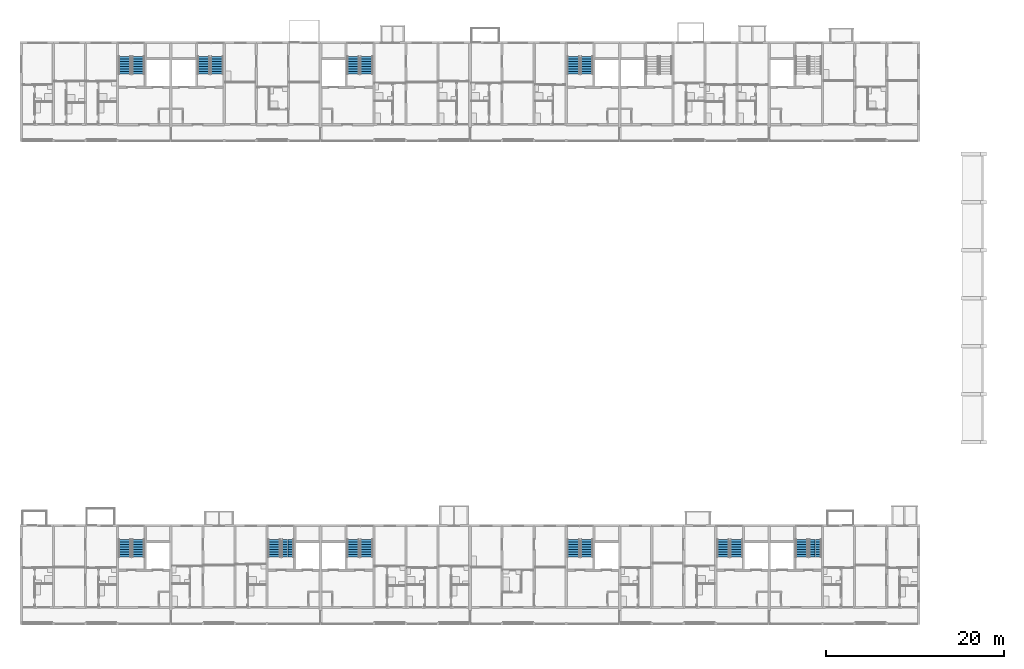
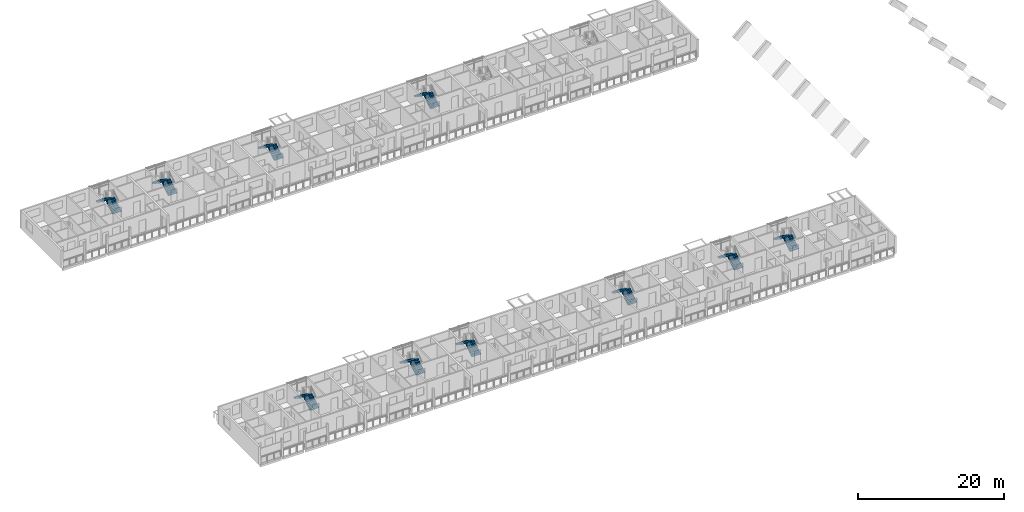
# One storey, part 61 of 98: 20 stair flights, 10 elements without a shape of their own.
"""IFC4 building model written with IfcOpenShell, lengths in metres."""

from ifc_helpers import new_model, si_unit, direction, frame, origin, place, context, subcontext, project, spatial, polyline, outline, extrude, material, type_object, element, aggregate, save


model = new_model("IFC4")

# Units and contexts
model_context = context("Model", 3, precision=1e-05, world=origin(), true_north=direction((0.0, 1.0)))
body_context = subcontext(model_context, "Body", "Model", "MODEL_VIEW")
ifc_project = project(units=[si_unit("LENGTHUNIT", "METRE"), si_unit("AREAUNIT", "SQUARE_METRE"), si_unit("VOLUMEUNIT", "CUBIC_METRE"), si_unit("PLANEANGLEUNIT", "RADIAN"), si_unit("MASSUNIT", "GRAM", prefix="KILO")], contexts=[model_context])

# Site, building, storey
site_placement = place(None, origin())
site = spatial("IfcSite", under=ifc_project, at=site_placement, CompositionType="ELEMENT")
building_placement = place(site_placement, origin())
building = spatial("IfcBuilding", under=site, at=building_placement, Name="Ridgestep Commons", CompositionType="ELEMENT")
storey_placement = place(building_placement, frame((0.0, 0.0, 12.0)))
storey = spatial("IfcBuildingStorey", under=building, at=storey_placement, Name="L04", CompositionType="ELEMENT", Elevation=12.0)

# Stair, stair flights
ifc_material_1 = material(Name="Precast concrete C40/50", Category="concrete")
stair_type = type_object("IfcStairType", Name="Escape stair 1400", PredefinedType="HALF_TURN_STAIR", material=ifc_material_1)
stair_1_placement = place(storey_placement, origin())
stair_1 = element("IfcStair", 1, at=stair_1_placement, inside=storey, type_object=stair_type, Name="L04 Escape stair A1C", PredefinedType="HALF_TURN_STAIR")
ifc_material_2 = material(Name="Precast concrete C40/50", Category="concrete")
stair_flight_type = type_object("IfcStairFlightType", Name="Stair flight 1400", PredefinedType="STRAIGHT", material=ifc_material_2)
stair_flight_1_placement = place(storey_placement, frame((25.125, 19.35009765625, 0.0), z_axis=(0.0, 0.0, 1.0), x_axis=(0.0, 1.0, 0.0)))
stair_flight_1 = element("IfcStairFlight", 2, at=stair_flight_1_placement, type_object=stair_flight_type, Name="A1C flight 1", NumberOfRisers=8, NumberOfTreads=7, PredefinedType="STRAIGHT", RiserHeight=0.1875, TreadLength=0.28, context=body_context, shape_type="SweptSolid", body=[
    extrude(outline(polyline([(0.0, 0.0), (0.0, 0.1875), (0.280029296875, 0.1875), (0.280029296875, 0.375), (0.56005859375, 0.375), (0.56005859375, 0.5625), (0.840087890625, 0.5625), (0.840087890625, 0.75), (1.1201171875, 0.75), (1.1201171875, 0.9375), (1.39990234375, 0.9375), (1.39990234375, 1.125), (1.679931640625, 1.125), (1.679931640625, 1.3125), (1.9599609375, 1.3125), (1.9599609375, 1.5), (1.9599609375, 1.132080078125), (0.26953125, 0.0), (0.0, 0.0)])), frame((0.0, 0.699951171875, 0.0), z_axis=(0.0, -1.0, 0.0), x_axis=(1.0, 0.0, 0.0)), (0.0, 0.0, 1.0), 0.695068359375),
    extrude(outline(polyline([(0.0, 0.0), (0.0, 0.1875), (0.280029296875, 0.1875), (0.280029296875, 0.375), (0.56005859375, 0.375), (0.56005859375, 0.5625), (0.840087890625, 0.5625), (0.840087890625, 0.75), (1.1201171875, 0.75), (1.1201171875, 0.9375), (1.39990234375, 0.9375), (1.39990234375, 1.125), (1.679931640625, 1.125), (1.679931640625, 1.3125), (1.9599609375, 1.3125), (1.9599609375, 1.5), (1.9599609375, 1.132080078125), (0.26953125, 0.0), (0.0, 0.0)])), frame((0.0, -0.0048828125, 0.0), z_axis=(0.0, -1.0, 0.0), x_axis=(1.0, 0.0, 0.0)), (0.0, 0.0, 1.0), 0.695068359375),
])
stair_flight_2_placement = place(storey_placement, frame((23.625, 21.31005859375, 1.5), z_axis=(0.0, 0.0, 1.0), x_axis=(0.0, -1.0, 0.0)))
stair_flight_2 = element("IfcStairFlight", 3, at=stair_flight_2_placement, type_object=stair_flight_type, Name="A1C flight 2", NumberOfRisers=8, NumberOfTreads=7, PredefinedType="STRAIGHT", RiserHeight=0.1875, TreadLength=0.28, context=body_context, shape_type="SweptSolid", body=[
    extrude(outline(polyline([(0.0, 0.0), (0.0, 0.1875), (0.280029296875, 0.1875), (0.280029296875, 0.375), (0.56005859375, 0.375), (0.56005859375, 0.5625), (0.840087890625, 0.5625), (0.840087890625, 0.75), (1.1201171875, 0.75), (1.1201171875, 0.9375), (1.39990234375, 0.9375), (1.39990234375, 1.125), (1.679931640625, 1.125), (1.679931640625, 1.3125), (1.9599609375, 1.3125), (1.9599609375, 1.5), (1.9599609375, 1.132080078125), (0.26953125, 0.0), (0.0, 0.0)])), frame((0.0, 0.699951171875, 0.0), z_axis=(0.0, -1.0, 0.0), x_axis=(1.0, 0.0, 0.0)), (0.0, 0.0, 1.0), 0.695068359375),
    extrude(outline(polyline([(0.0, 0.0), (0.0, 0.1875), (0.280029296875, 0.1875), (0.280029296875, 0.375), (0.56005859375, 0.375), (0.56005859375, 0.5625), (0.840087890625, 0.5625), (0.840087890625, 0.75), (1.1201171875, 0.75), (1.1201171875, 0.9375), (1.39990234375, 0.9375), (1.39990234375, 1.125), (1.679931640625, 1.125), (1.679931640625, 1.3125), (1.9599609375, 1.3125), (1.9599609375, 1.5), (1.9599609375, 1.132080078125), (0.26953125, 0.0), (0.0, 0.0)])), frame((0.0, -0.0048828125, 0.0), z_axis=(0.0, -1.0, 0.0), x_axis=(1.0, 0.0, 0.0)), (0.0, 0.0, 1.0), 0.695068359375),
])
aggregate(stair_1, [stair_flight_1, stair_flight_2])

stair_2_placement = place(storey_placement, origin())
stair_2 = element("IfcStair", 4, at=stair_2_placement, inside=storey, type_object=stair_type, Name="L04 Escape stair A2C", PredefinedType="HALF_TURN_STAIR")
stair_flight_3_placement = place(storey_placement, frame((41.925048828125, 19.35009765625, 0.0), z_axis=(0.0, 0.0, 1.0), x_axis=(0.0, 1.0, 0.0)))
stair_flight_3 = element("IfcStairFlight", 5, at=stair_flight_3_placement, type_object=stair_flight_type, Name="A2C flight 1", NumberOfRisers=8, NumberOfTreads=7, PredefinedType="STRAIGHT", RiserHeight=0.1875, TreadLength=0.28, context=body_context, shape_type="SweptSolid", body=[
    extrude(outline(polyline([(0.0, 0.0), (0.0, 0.1875), (0.280029296875, 0.1875), (0.280029296875, 0.375), (0.56005859375, 0.375), (0.56005859375, 0.5625), (0.840087890625, 0.5625), (0.840087890625, 0.75), (1.1201171875, 0.75), (1.1201171875, 0.9375), (1.39990234375, 0.9375), (1.39990234375, 1.125), (1.679931640625, 1.125), (1.679931640625, 1.3125), (1.9599609375, 1.3125), (1.9599609375, 1.5), (1.9599609375, 1.132080078125), (0.26953125, 0.0), (0.0, 0.0)])), frame((0.0, 0.699951171875, 0.0), z_axis=(0.0, -1.0, 0.0), x_axis=(1.0, 0.0, 0.0)), (0.0, 0.0, 1.0), 0.695068359375),
    extrude(outline(polyline([(0.0, 0.0), (0.0, 0.1875), (0.280029296875, 0.1875), (0.280029296875, 0.375), (0.56005859375, 0.375), (0.56005859375, 0.5625), (0.840087890625, 0.5625), (0.840087890625, 0.75), (1.1201171875, 0.75), (1.1201171875, 0.9375), (1.39990234375, 0.9375), (1.39990234375, 1.125), (1.679931640625, 1.125), (1.679931640625, 1.3125), (1.9599609375, 1.3125), (1.9599609375, 1.5), (1.9599609375, 1.132080078125), (0.26953125, 0.0), (0.0, 0.0)])), frame((0.0, -0.0048828125, 0.0), z_axis=(0.0, -1.0, 0.0), x_axis=(1.0, 0.0, 0.0)), (0.0, 0.0, 1.0), 0.695068359375),
])
stair_flight_4_placement = place(storey_placement, frame((40.425048828125, 21.31005859375, 1.5), z_axis=(0.0, 0.0, 1.0), x_axis=(0.0, -1.0, 0.0)))
stair_flight_4 = element("IfcStairFlight", 6, at=stair_flight_4_placement, type_object=stair_flight_type, Name="A2C flight 2", NumberOfRisers=8, NumberOfTreads=7, PredefinedType="STRAIGHT", RiserHeight=0.1875, TreadLength=0.28, context=body_context, shape_type="SweptSolid", body=[
    extrude(outline(polyline([(0.0, 0.0), (0.0, 0.1875), (0.280029296875, 0.1875), (0.280029296875, 0.375), (0.56005859375, 0.375), (0.56005859375, 0.5625), (0.840087890625, 0.5625), (0.840087890625, 0.75), (1.1201171875, 0.75), (1.1201171875, 0.9375), (1.39990234375, 0.9375), (1.39990234375, 1.125), (1.679931640625, 1.125), (1.679931640625, 1.3125), (1.9599609375, 1.3125), (1.9599609375, 1.5), (1.9599609375, 1.132080078125), (0.26953125, 0.0), (0.0, 0.0)])), frame((0.0, 0.699951171875, 0.0), z_axis=(0.0, -1.0, 0.0), x_axis=(1.0, 0.0, 0.0)), (0.0, 0.0, 1.0), 0.695068359375),
    extrude(outline(polyline([(0.0, 0.0), (0.0, 0.1875), (0.280029296875, 0.1875), (0.280029296875, 0.375), (0.56005859375, 0.375), (0.56005859375, 0.5625), (0.840087890625, 0.5625), (0.840087890625, 0.75), (1.1201171875, 0.75), (1.1201171875, 0.9375), (1.39990234375, 0.9375), (1.39990234375, 1.125), (1.679931640625, 1.125), (1.679931640625, 1.3125), (1.9599609375, 1.3125), (1.9599609375, 1.5), (1.9599609375, 1.132080078125), (0.26953125, 0.0), (0.0, 0.0)])), frame((0.0, -0.0048828125, 0.0), z_axis=(0.0, -1.0, 0.0), x_axis=(1.0, 0.0, 0.0)), (0.0, 0.0, 1.0), 0.695068359375),
])
aggregate(stair_2, [stair_flight_3, stair_flight_4])

stair_3_placement = place(storey_placement, origin())
stair_3 = element("IfcStair", 7, at=stair_3_placement, inside=storey, type_object=stair_type, Name="L04 Escape stair A3C", PredefinedType="HALF_TURN_STAIR")
stair_flight_5_placement = place(storey_placement, frame((50.77490234375, 19.35009765625, 0.0), z_axis=(0.0, 0.0, 1.0), x_axis=(0.0, 1.0, 0.0)))
stair_flight_5 = element("IfcStairFlight", 8, at=stair_flight_5_placement, type_object=stair_flight_type, Name="A3C flight 1", NumberOfRisers=8, NumberOfTreads=7, PredefinedType="STRAIGHT", RiserHeight=0.1875, TreadLength=0.28, context=body_context, shape_type="SweptSolid", body=[
    extrude(outline(polyline([(0.0, 0.0), (0.0, 0.1875), (0.280029296875, 0.1875), (0.280029296875, 0.375), (0.56005859375, 0.375), (0.56005859375, 0.5625), (0.840087890625, 0.5625), (0.840087890625, 0.75), (1.1201171875, 0.75), (1.1201171875, 0.9375), (1.39990234375, 0.9375), (1.39990234375, 1.125), (1.679931640625, 1.125), (1.679931640625, 1.3125), (1.9599609375, 1.3125), (1.9599609375, 1.5), (1.9599609375, 1.132080078125), (0.26953125, 0.0), (0.0, 0.0)])), frame((0.0, 0.699951171875, 0.0), z_axis=(0.0, -1.0, 0.0), x_axis=(1.0, 0.0, 0.0)), (0.0, 0.0, 1.0), 0.695068359375),
    extrude(outline(polyline([(0.0, 0.0), (0.0, 0.1875), (0.280029296875, 0.1875), (0.280029296875, 0.375), (0.56005859375, 0.375), (0.56005859375, 0.5625), (0.840087890625, 0.5625), (0.840087890625, 0.75), (1.1201171875, 0.75), (1.1201171875, 0.9375), (1.39990234375, 0.9375), (1.39990234375, 1.125), (1.679931640625, 1.125), (1.679931640625, 1.3125), (1.9599609375, 1.3125), (1.9599609375, 1.5), (1.9599609375, 1.132080078125), (0.26953125, 0.0), (0.0, 0.0)])), frame((0.0, -0.0048828125, 0.0), z_axis=(0.0, -1.0, 0.0), x_axis=(1.0, 0.0, 0.0)), (0.0, 0.0, 1.0), 0.695068359375),
])
stair_flight_6_placement = place(storey_placement, frame((49.27490234375, 21.31005859375, 1.5), z_axis=(0.0, 0.0, 1.0), x_axis=(0.0, -1.0, 0.0)))
stair_flight_6 = element("IfcStairFlight", 9, at=stair_flight_6_placement, type_object=stair_flight_type, Name="A3C flight 2", NumberOfRisers=8, NumberOfTreads=7, PredefinedType="STRAIGHT", RiserHeight=0.1875, TreadLength=0.28, context=body_context, shape_type="SweptSolid", body=[
    extrude(outline(polyline([(0.0, 0.0), (0.0, 0.1875), (0.280029296875, 0.1875), (0.280029296875, 0.375), (0.56005859375, 0.375), (0.56005859375, 0.5625), (0.840087890625, 0.5625), (0.840087890625, 0.75), (1.1201171875, 0.75), (1.1201171875, 0.9375), (1.39990234375, 0.9375), (1.39990234375, 1.125), (1.679931640625, 1.125), (1.679931640625, 1.3125), (1.9599609375, 1.3125), (1.9599609375, 1.5), (1.9599609375, 1.132080078125), (0.26953125, 0.0), (0.0, 0.0)])), frame((0.0, 0.699951171875, 0.0), z_axis=(0.0, -1.0, 0.0), x_axis=(1.0, 0.0, 0.0)), (0.0, 0.0, 1.0), 0.695068359375),
    extrude(outline(polyline([(0.0, 0.0), (0.0, 0.1875), (0.280029296875, 0.1875), (0.280029296875, 0.375), (0.56005859375, 0.375), (0.56005859375, 0.5625), (0.840087890625, 0.5625), (0.840087890625, 0.75), (1.1201171875, 0.75), (1.1201171875, 0.9375), (1.39990234375, 0.9375), (1.39990234375, 1.125), (1.679931640625, 1.125), (1.679931640625, 1.3125), (1.9599609375, 1.3125), (1.9599609375, 1.5), (1.9599609375, 1.132080078125), (0.26953125, 0.0), (0.0, 0.0)])), frame((0.0, -0.0048828125, 0.0), z_axis=(0.0, -1.0, 0.0), x_axis=(1.0, 0.0, 0.0)), (0.0, 0.0, 1.0), 0.695068359375),
])
aggregate(stair_3, [stair_flight_5, stair_flight_6])

stair_4_placement = place(storey_placement, origin())
stair_4 = element("IfcStair", 10, at=stair_4_placement, inside=storey, type_object=stair_type, Name="L04 Escape stair A4C", PredefinedType="HALF_TURN_STAIR")
stair_flight_7_placement = place(storey_placement, frame((75.52490234375, 19.35009765625, 0.0), z_axis=(0.0, 0.0, 1.0), x_axis=(0.0, 1.0, 0.0)))
stair_flight_7 = element("IfcStairFlight", 11, at=stair_flight_7_placement, type_object=stair_flight_type, Name="A4C flight 1", NumberOfRisers=8, NumberOfTreads=7, PredefinedType="STRAIGHT", RiserHeight=0.1875, TreadLength=0.28, context=body_context, shape_type="SweptSolid", body=[
    extrude(outline(polyline([(0.0, 0.0), (0.0, 0.1875), (0.280029296875, 0.1875), (0.280029296875, 0.375), (0.56005859375, 0.375), (0.56005859375, 0.5625), (0.840087890625, 0.5625), (0.840087890625, 0.75), (1.1201171875, 0.75), (1.1201171875, 0.9375), (1.39990234375, 0.9375), (1.39990234375, 1.125), (1.679931640625, 1.125), (1.679931640625, 1.3125), (1.9599609375, 1.3125), (1.9599609375, 1.5), (1.9599609375, 1.132080078125), (0.26953125, 0.0), (0.0, 0.0)])), frame((0.0, 0.699951171875, 0.0), z_axis=(0.0, -1.0, 0.0), x_axis=(1.0, 0.0, 0.0)), (0.0, 0.0, 1.0), 0.695068359375),
    extrude(outline(polyline([(0.0, 0.0), (0.0, 0.1875), (0.280029296875, 0.1875), (0.280029296875, 0.375), (0.56005859375, 0.375), (0.56005859375, 0.5625), (0.840087890625, 0.5625), (0.840087890625, 0.75), (1.1201171875, 0.75), (1.1201171875, 0.9375), (1.39990234375, 0.9375), (1.39990234375, 1.125), (1.679931640625, 1.125), (1.679931640625, 1.3125), (1.9599609375, 1.3125), (1.9599609375, 1.5), (1.9599609375, 1.132080078125), (0.26953125, 0.0), (0.0, 0.0)])), frame((0.0, -0.0048828125, 0.0), z_axis=(0.0, -1.0, 0.0), x_axis=(1.0, 0.0, 0.0)), (0.0, 0.0, 1.0), 0.695068359375),
])
stair_flight_8_placement = place(storey_placement, frame((74.02490234375, 21.31005859375, 1.5), z_axis=(0.0, 0.0, 1.0), x_axis=(0.0, -1.0, 0.0)))
stair_flight_8 = element("IfcStairFlight", 12, at=stair_flight_8_placement, type_object=stair_flight_type, Name="A4C flight 2", NumberOfRisers=8, NumberOfTreads=7, PredefinedType="STRAIGHT", RiserHeight=0.1875, TreadLength=0.28, context=body_context, shape_type="SweptSolid", body=[
    extrude(outline(polyline([(0.0, 0.0), (0.0, 0.1875), (0.280029296875, 0.1875), (0.280029296875, 0.375), (0.56005859375, 0.375), (0.56005859375, 0.5625), (0.840087890625, 0.5625), (0.840087890625, 0.75), (1.1201171875, 0.75), (1.1201171875, 0.9375), (1.39990234375, 0.9375), (1.39990234375, 1.125), (1.679931640625, 1.125), (1.679931640625, 1.3125), (1.9599609375, 1.3125), (1.9599609375, 1.5), (1.9599609375, 1.132080078125), (0.26953125, 0.0), (0.0, 0.0)])), frame((0.0, 0.699951171875, 0.0), z_axis=(0.0, -1.0, 0.0), x_axis=(1.0, 0.0, 0.0)), (0.0, 0.0, 1.0), 0.695068359375),
    extrude(outline(polyline([(0.0, 0.0), (0.0, 0.1875), (0.280029296875, 0.1875), (0.280029296875, 0.375), (0.56005859375, 0.375), (0.56005859375, 0.5625), (0.840087890625, 0.5625), (0.840087890625, 0.75), (1.1201171875, 0.75), (1.1201171875, 0.9375), (1.39990234375, 0.9375), (1.39990234375, 1.125), (1.679931640625, 1.125), (1.679931640625, 1.3125), (1.9599609375, 1.3125), (1.9599609375, 1.5), (1.9599609375, 1.132080078125), (0.26953125, 0.0), (0.0, 0.0)])), frame((0.0, -0.0048828125, 0.0), z_axis=(0.0, -1.0, 0.0), x_axis=(1.0, 0.0, 0.0)), (0.0, 0.0, 1.0), 0.695068359375),
])
aggregate(stair_4, [stair_flight_7, stair_flight_8])

stair_5_placement = place(storey_placement, origin())
stair_5 = element("IfcStair", 13, at=stair_5_placement, inside=storey, type_object=stair_type, Name="L04 Escape stair A5C", PredefinedType="HALF_TURN_STAIR")
stair_flight_9_placement = place(storey_placement, frame((92.324951171875, 19.35009765625, 0.0), z_axis=(0.0, 0.0, 1.0), x_axis=(0.0, 1.0, 0.0)))
stair_flight_9 = element("IfcStairFlight", 14, at=stair_flight_9_placement, type_object=stair_flight_type, Name="A5C flight 1", NumberOfRisers=8, NumberOfTreads=7, PredefinedType="STRAIGHT", RiserHeight=0.1875, TreadLength=0.28, context=body_context, shape_type="SweptSolid", body=[
    extrude(outline(polyline([(0.0, 0.0), (0.0, 0.1875), (0.280029296875, 0.1875), (0.280029296875, 0.375), (0.56005859375, 0.375), (0.56005859375, 0.5625), (0.840087890625, 0.5625), (0.840087890625, 0.75), (1.1201171875, 0.75), (1.1201171875, 0.9375), (1.39990234375, 0.9375), (1.39990234375, 1.125), (1.679931640625, 1.125), (1.679931640625, 1.3125), (1.9599609375, 1.3125), (1.9599609375, 1.5), (1.9599609375, 1.132080078125), (0.26953125, 0.0), (0.0, 0.0)])), frame((0.0, 0.699951171875, 0.0), z_axis=(0.0, -1.0, 0.0), x_axis=(1.0, 0.0, 0.0)), (0.0, 0.0, 1.0), 0.695068359375),
    extrude(outline(polyline([(0.0, 0.0), (0.0, 0.1875), (0.280029296875, 0.1875), (0.280029296875, 0.375), (0.56005859375, 0.375), (0.56005859375, 0.5625), (0.840087890625, 0.5625), (0.840087890625, 0.75), (1.1201171875, 0.75), (1.1201171875, 0.9375), (1.39990234375, 0.9375), (1.39990234375, 1.125), (1.679931640625, 1.125), (1.679931640625, 1.3125), (1.9599609375, 1.3125), (1.9599609375, 1.5), (1.9599609375, 1.132080078125), (0.26953125, 0.0), (0.0, 0.0)])), frame((0.0, -0.0048828125, 0.0), z_axis=(0.0, -1.0, 0.0), x_axis=(1.0, 0.0, 0.0)), (0.0, 0.0, 1.0), 0.695068359375),
])
stair_flight_10_placement = place(storey_placement, frame((90.824951171875, 21.31005859375, 1.5), z_axis=(0.0, 0.0, 1.0), x_axis=(0.0, -1.0, 0.0)))
stair_flight_10 = element("IfcStairFlight", 15, at=stair_flight_10_placement, type_object=stair_flight_type, Name="A5C flight 2", NumberOfRisers=8, NumberOfTreads=7, PredefinedType="STRAIGHT", RiserHeight=0.1875, TreadLength=0.28, context=body_context, shape_type="SweptSolid", body=[
    extrude(outline(polyline([(0.0, 0.0), (0.0, 0.1875), (0.280029296875, 0.1875), (0.280029296875, 0.375), (0.56005859375, 0.375), (0.56005859375, 0.5625), (0.840087890625, 0.5625), (0.840087890625, 0.75), (1.1201171875, 0.75), (1.1201171875, 0.9375), (1.39990234375, 0.9375), (1.39990234375, 1.125), (1.679931640625, 1.125), (1.679931640625, 1.3125), (1.9599609375, 1.3125), (1.9599609375, 1.5), (1.9599609375, 1.132080078125), (0.26953125, 0.0), (0.0, 0.0)])), frame((0.0, 0.699951171875, 0.0), z_axis=(0.0, -1.0, 0.0), x_axis=(1.0, 0.0, 0.0)), (0.0, 0.0, 1.0), 0.695068359375),
    extrude(outline(polyline([(0.0, 0.0), (0.0, 0.1875), (0.280029296875, 0.1875), (0.280029296875, 0.375), (0.56005859375, 0.375), (0.56005859375, 0.5625), (0.840087890625, 0.5625), (0.840087890625, 0.75), (1.1201171875, 0.75), (1.1201171875, 0.9375), (1.39990234375, 0.9375), (1.39990234375, 1.125), (1.679931640625, 1.125), (1.679931640625, 1.3125), (1.9599609375, 1.3125), (1.9599609375, 1.5), (1.9599609375, 1.132080078125), (0.26953125, 0.0), (0.0, 0.0)])), frame((0.0, -0.0048828125, 0.0), z_axis=(0.0, -1.0, 0.0), x_axis=(1.0, 0.0, 0.0)), (0.0, 0.0, 1.0), 0.695068359375),
])
aggregate(stair_5, [stair_flight_9, stair_flight_10])

stair_6_placement = place(storey_placement, origin())
stair_6 = element("IfcStair", 16, at=stair_6_placement, inside=storey, type_object=stair_type, Name="L04 Escape stair A6C", PredefinedType="HALF_TURN_STAIR")
stair_flight_11_placement = place(storey_placement, frame((101.175048828125, 19.35009765625, 0.0), z_axis=(0.0, 0.0, 1.0), x_axis=(0.0, 1.0, 0.0)))
stair_flight_11 = element("IfcStairFlight", 17, at=stair_flight_11_placement, type_object=stair_flight_type, Name="A6C flight 1", NumberOfRisers=8, NumberOfTreads=7, PredefinedType="STRAIGHT", RiserHeight=0.1875, TreadLength=0.28, context=body_context, shape_type="SweptSolid", body=[
    extrude(outline(polyline([(0.0, 0.0), (0.0, 0.1875), (0.280029296875, 0.1875), (0.280029296875, 0.375), (0.56005859375, 0.375), (0.56005859375, 0.5625), (0.840087890625, 0.5625), (0.840087890625, 0.75), (1.1201171875, 0.75), (1.1201171875, 0.9375), (1.39990234375, 0.9375), (1.39990234375, 1.125), (1.679931640625, 1.125), (1.679931640625, 1.3125), (1.9599609375, 1.3125), (1.9599609375, 1.5), (1.9599609375, 1.132080078125), (0.26953125, 0.0), (0.0, 0.0)])), frame((0.0, 0.699951171875, 0.0), z_axis=(0.0, -1.0, 0.0), x_axis=(1.0, 0.0, 0.0)), (0.0, 0.0, 1.0), 0.695068359375),
    extrude(outline(polyline([(0.0, 0.0), (0.0, 0.1875), (0.280029296875, 0.1875), (0.280029296875, 0.375), (0.56005859375, 0.375), (0.56005859375, 0.5625), (0.840087890625, 0.5625), (0.840087890625, 0.75), (1.1201171875, 0.75), (1.1201171875, 0.9375), (1.39990234375, 0.9375), (1.39990234375, 1.125), (1.679931640625, 1.125), (1.679931640625, 1.3125), (1.9599609375, 1.3125), (1.9599609375, 1.5), (1.9599609375, 1.132080078125), (0.26953125, 0.0), (0.0, 0.0)])), frame((0.0, -0.0048828125, 0.0), z_axis=(0.0, -1.0, 0.0), x_axis=(1.0, 0.0, 0.0)), (0.0, 0.0, 1.0), 0.695068359375),
])
stair_flight_12_placement = place(storey_placement, frame((99.675048828125, 21.31005859375, 1.5), z_axis=(0.0, 0.0, 1.0), x_axis=(0.0, -1.0, 0.0)))
stair_flight_12 = element("IfcStairFlight", 18, at=stair_flight_12_placement, type_object=stair_flight_type, Name="A6C flight 2", NumberOfRisers=8, NumberOfTreads=7, PredefinedType="STRAIGHT", RiserHeight=0.1875, TreadLength=0.28, context=body_context, shape_type="SweptSolid", body=[
    extrude(outline(polyline([(0.0, 0.0), (0.0, 0.1875), (0.280029296875, 0.1875), (0.280029296875, 0.375), (0.56005859375, 0.375), (0.56005859375, 0.5625), (0.840087890625, 0.5625), (0.840087890625, 0.75), (1.1201171875, 0.75), (1.1201171875, 0.9375), (1.39990234375, 0.9375), (1.39990234375, 1.125), (1.679931640625, 1.125), (1.679931640625, 1.3125), (1.9599609375, 1.3125), (1.9599609375, 1.5), (1.9599609375, 1.132080078125), (0.26953125, 0.0), (0.0, 0.0)])), frame((0.0, 0.699951171875, 0.0), z_axis=(0.0, -1.0, 0.0), x_axis=(1.0, 0.0, 0.0)), (0.0, 0.0, 1.0), 0.695068359375),
    extrude(outline(polyline([(0.0, 0.0), (0.0, 0.1875), (0.280029296875, 0.1875), (0.280029296875, 0.375), (0.56005859375, 0.375), (0.56005859375, 0.5625), (0.840087890625, 0.5625), (0.840087890625, 0.75), (1.1201171875, 0.75), (1.1201171875, 0.9375), (1.39990234375, 0.9375), (1.39990234375, 1.125), (1.679931640625, 1.125), (1.679931640625, 1.3125), (1.9599609375, 1.3125), (1.9599609375, 1.5), (1.9599609375, 1.132080078125), (0.26953125, 0.0), (0.0, 0.0)])), frame((0.0, -0.0048828125, 0.0), z_axis=(0.0, -1.0, 0.0), x_axis=(1.0, 0.0, 0.0)), (0.0, 0.0, 1.0), 0.695068359375),
])
aggregate(stair_6, [stair_flight_11, stair_flight_12])

stair_7_placement = place(storey_placement, origin())
stair_7 = element("IfcStair", 19, at=stair_7_placement, inside=storey, type_object=stair_type, Name="L04 Escape stair B1C", PredefinedType="HALF_TURN_STAIR")
stair_flight_13_placement = place(storey_placement, frame((25.125, 73.60009765625, 0.0), z_axis=(0.0, 0.0, 1.0), x_axis=(0.0, 1.0, 0.0)))
stair_flight_13 = element("IfcStairFlight", 20, at=stair_flight_13_placement, type_object=stair_flight_type, Name="B1C flight 1", NumberOfRisers=8, NumberOfTreads=7, PredefinedType="STRAIGHT", RiserHeight=0.1875, TreadLength=0.28, context=body_context, shape_type="SweptSolid", body=[
    extrude(outline(polyline([(0.0, 0.0), (0.0, 0.1875), (0.280029296875, 0.1875), (0.280029296875, 0.375), (0.56005859375, 0.375), (0.56005859375, 0.5625), (0.840087890625, 0.5625), (0.840087890625, 0.75), (1.1201171875, 0.75), (1.1201171875, 0.9375), (1.39990234375, 0.9375), (1.39990234375, 1.125), (1.679931640625, 1.125), (1.679931640625, 1.3125), (1.9599609375, 1.3125), (1.9599609375, 1.5), (1.9599609375, 1.132080078125), (0.26953125, 0.0), (0.0, 0.0)])), frame((0.0, 0.699951171875, 0.0), z_axis=(0.0, -1.0, 0.0), x_axis=(1.0, 0.0, 0.0)), (0.0, 0.0, 1.0), 0.695068359375),
    extrude(outline(polyline([(0.0, 0.0), (0.0, 0.1875), (0.280029296875, 0.1875), (0.280029296875, 0.375), (0.56005859375, 0.375), (0.56005859375, 0.5625), (0.840087890625, 0.5625), (0.840087890625, 0.75), (1.1201171875, 0.75), (1.1201171875, 0.9375), (1.39990234375, 0.9375), (1.39990234375, 1.125), (1.679931640625, 1.125), (1.679931640625, 1.3125), (1.9599609375, 1.3125), (1.9599609375, 1.5), (1.9599609375, 1.132080078125), (0.26953125, 0.0), (0.0, 0.0)])), frame((0.0, -0.0048828125, 0.0), z_axis=(0.0, -1.0, 0.0), x_axis=(1.0, 0.0, 0.0)), (0.0, 0.0, 1.0), 0.695068359375),
])
stair_flight_14_placement = place(storey_placement, frame((23.625, 75.56005859375, 1.5), z_axis=(0.0, 0.0, 1.0), x_axis=(0.0, -1.0, 0.0)))
stair_flight_14 = element("IfcStairFlight", 21, at=stair_flight_14_placement, type_object=stair_flight_type, Name="B1C flight 2", NumberOfRisers=8, NumberOfTreads=7, PredefinedType="STRAIGHT", RiserHeight=0.1875, TreadLength=0.28, context=body_context, shape_type="SweptSolid", body=[
    extrude(outline(polyline([(0.0, 0.0), (0.0, 0.1875), (0.280029296875, 0.1875), (0.280029296875, 0.375), (0.56005859375, 0.375), (0.56005859375, 0.5625), (0.840087890625, 0.5625), (0.840087890625, 0.75), (1.1201171875, 0.75), (1.1201171875, 0.9375), (1.39990234375, 0.9375), (1.39990234375, 1.125), (1.679931640625, 1.125), (1.679931640625, 1.3125), (1.9599609375, 1.3125), (1.9599609375, 1.5), (1.9599609375, 1.132080078125), (0.26953125, 0.0), (0.0, 0.0)])), frame((0.0, 0.699951171875, 0.0), z_axis=(0.0, -1.0, 0.0), x_axis=(1.0, 0.0, 0.0)), (0.0, 0.0, 1.0), 0.695068359375),
    extrude(outline(polyline([(0.0, 0.0), (0.0, 0.1875), (0.280029296875, 0.1875), (0.280029296875, 0.375), (0.56005859375, 0.375), (0.56005859375, 0.5625), (0.840087890625, 0.5625), (0.840087890625, 0.75), (1.1201171875, 0.75), (1.1201171875, 0.9375), (1.39990234375, 0.9375), (1.39990234375, 1.125), (1.679931640625, 1.125), (1.679931640625, 1.3125), (1.9599609375, 1.3125), (1.9599609375, 1.5), (1.9599609375, 1.132080078125), (0.26953125, 0.0), (0.0, 0.0)])), frame((0.0, -0.0048828125, 0.0), z_axis=(0.0, -1.0, 0.0), x_axis=(1.0, 0.0, 0.0)), (0.0, 0.0, 1.0), 0.695068359375),
])
aggregate(stair_7, [stair_flight_13, stair_flight_14])

stair_8_placement = place(storey_placement, origin())
stair_8 = element("IfcStair", 22, at=stair_8_placement, inside=storey, type_object=stair_type, Name="L04 Escape stair B2C", PredefinedType="HALF_TURN_STAIR")
stair_flight_15_placement = place(storey_placement, frame((33.97509765625, 73.60009765625, 0.0), z_axis=(0.0, 0.0, 1.0), x_axis=(0.0, 1.0, 0.0)))
stair_flight_15 = element("IfcStairFlight", 23, at=stair_flight_15_placement, type_object=stair_flight_type, Name="B2C flight 1", NumberOfRisers=8, NumberOfTreads=7, PredefinedType="STRAIGHT", RiserHeight=0.1875, TreadLength=0.28, context=body_context, shape_type="SweptSolid", body=[
    extrude(outline(polyline([(0.0, 0.0), (0.0, 0.1875), (0.280029296875, 0.1875), (0.280029296875, 0.375), (0.56005859375, 0.375), (0.56005859375, 0.5625), (0.840087890625, 0.5625), (0.840087890625, 0.75), (1.1201171875, 0.75), (1.1201171875, 0.9375), (1.39990234375, 0.9375), (1.39990234375, 1.125), (1.679931640625, 1.125), (1.679931640625, 1.3125), (1.9599609375, 1.3125), (1.9599609375, 1.5), (1.9599609375, 1.132080078125), (0.26953125, 0.0), (0.0, 0.0)])), frame((0.0, 0.699951171875, 0.0), z_axis=(0.0, -1.0, 0.0), x_axis=(1.0, 0.0, 0.0)), (0.0, 0.0, 1.0), 0.695068359375),
    extrude(outline(polyline([(0.0, 0.0), (0.0, 0.1875), (0.280029296875, 0.1875), (0.280029296875, 0.375), (0.56005859375, 0.375), (0.56005859375, 0.5625), (0.840087890625, 0.5625), (0.840087890625, 0.75), (1.1201171875, 0.75), (1.1201171875, 0.9375), (1.39990234375, 0.9375), (1.39990234375, 1.125), (1.679931640625, 1.125), (1.679931640625, 1.3125), (1.9599609375, 1.3125), (1.9599609375, 1.5), (1.9599609375, 1.132080078125), (0.26953125, 0.0), (0.0, 0.0)])), frame((0.0, -0.0048828125, 0.0), z_axis=(0.0, -1.0, 0.0), x_axis=(1.0, 0.0, 0.0)), (0.0, 0.0, 1.0), 0.695068359375),
])
stair_flight_16_placement = place(storey_placement, frame((32.47509765625, 75.56005859375, 1.5), z_axis=(0.0, 0.0, 1.0), x_axis=(0.0, -1.0, 0.0)))
stair_flight_16 = element("IfcStairFlight", 24, at=stair_flight_16_placement, type_object=stair_flight_type, Name="B2C flight 2", NumberOfRisers=8, NumberOfTreads=7, PredefinedType="STRAIGHT", RiserHeight=0.1875, TreadLength=0.28, context=body_context, shape_type="SweptSolid", body=[
    extrude(outline(polyline([(0.0, 0.0), (0.0, 0.1875), (0.280029296875, 0.1875), (0.280029296875, 0.375), (0.56005859375, 0.375), (0.56005859375, 0.5625), (0.840087890625, 0.5625), (0.840087890625, 0.75), (1.1201171875, 0.75), (1.1201171875, 0.9375), (1.39990234375, 0.9375), (1.39990234375, 1.125), (1.679931640625, 1.125), (1.679931640625, 1.3125), (1.9599609375, 1.3125), (1.9599609375, 1.5), (1.9599609375, 1.132080078125), (0.26953125, 0.0), (0.0, 0.0)])), frame((0.0, 0.699951171875, 0.0), z_axis=(0.0, -1.0, 0.0), x_axis=(1.0, 0.0, 0.0)), (0.0, 0.0, 1.0), 0.695068359375),
    extrude(outline(polyline([(0.0, 0.0), (0.0, 0.1875), (0.280029296875, 0.1875), (0.280029296875, 0.375), (0.56005859375, 0.375), (0.56005859375, 0.5625), (0.840087890625, 0.5625), (0.840087890625, 0.75), (1.1201171875, 0.75), (1.1201171875, 0.9375), (1.39990234375, 0.9375), (1.39990234375, 1.125), (1.679931640625, 1.125), (1.679931640625, 1.3125), (1.9599609375, 1.3125), (1.9599609375, 1.5), (1.9599609375, 1.132080078125), (0.26953125, 0.0), (0.0, 0.0)])), frame((0.0, -0.0048828125, 0.0), z_axis=(0.0, -1.0, 0.0), x_axis=(1.0, 0.0, 0.0)), (0.0, 0.0, 1.0), 0.695068359375),
])
aggregate(stair_8, [stair_flight_15, stair_flight_16])

stair_9_placement = place(storey_placement, origin())
stair_9 = element("IfcStair", 25, at=stair_9_placement, inside=storey, type_object=stair_type, Name="L04 Escape stair B3C", PredefinedType="HALF_TURN_STAIR")
stair_flight_17_placement = place(storey_placement, frame((50.77490234375, 73.60009765625, 0.0), z_axis=(0.0, 0.0, 1.0), x_axis=(0.0, 1.0, 0.0)))
stair_flight_17 = element("IfcStairFlight", 26, at=stair_flight_17_placement, type_object=stair_flight_type, Name="B3C flight 1", NumberOfRisers=8, NumberOfTreads=7, PredefinedType="STRAIGHT", RiserHeight=0.1875, TreadLength=0.28, context=body_context, shape_type="SweptSolid", body=[
    extrude(outline(polyline([(0.0, 0.0), (0.0, 0.1875), (0.280029296875, 0.1875), (0.280029296875, 0.375), (0.56005859375, 0.375), (0.56005859375, 0.5625), (0.840087890625, 0.5625), (0.840087890625, 0.75), (1.1201171875, 0.75), (1.1201171875, 0.9375), (1.39990234375, 0.9375), (1.39990234375, 1.125), (1.679931640625, 1.125), (1.679931640625, 1.3125), (1.9599609375, 1.3125), (1.9599609375, 1.5), (1.9599609375, 1.132080078125), (0.26953125, 0.0), (0.0, 0.0)])), frame((0.0, 0.699951171875, 0.0), z_axis=(0.0, -1.0, 0.0), x_axis=(1.0, 0.0, 0.0)), (0.0, 0.0, 1.0), 0.695068359375),
    extrude(outline(polyline([(0.0, 0.0), (0.0, 0.1875), (0.280029296875, 0.1875), (0.280029296875, 0.375), (0.56005859375, 0.375), (0.56005859375, 0.5625), (0.840087890625, 0.5625), (0.840087890625, 0.75), (1.1201171875, 0.75), (1.1201171875, 0.9375), (1.39990234375, 0.9375), (1.39990234375, 1.125), (1.679931640625, 1.125), (1.679931640625, 1.3125), (1.9599609375, 1.3125), (1.9599609375, 1.5), (1.9599609375, 1.132080078125), (0.26953125, 0.0), (0.0, 0.0)])), frame((0.0, -0.0048828125, 0.0), z_axis=(0.0, -1.0, 0.0), x_axis=(1.0, 0.0, 0.0)), (0.0, 0.0, 1.0), 0.695068359375),
])
stair_flight_18_placement = place(storey_placement, frame((49.27490234375, 75.56005859375, 1.5), z_axis=(0.0, 0.0, 1.0), x_axis=(0.0, -1.0, 0.0)))
stair_flight_18 = element("IfcStairFlight", 27, at=stair_flight_18_placement, type_object=stair_flight_type, Name="B3C flight 2", NumberOfRisers=8, NumberOfTreads=7, PredefinedType="STRAIGHT", RiserHeight=0.1875, TreadLength=0.28, context=body_context, shape_type="SweptSolid", body=[
    extrude(outline(polyline([(0.0, 0.0), (0.0, 0.1875), (0.280029296875, 0.1875), (0.280029296875, 0.375), (0.56005859375, 0.375), (0.56005859375, 0.5625), (0.840087890625, 0.5625), (0.840087890625, 0.75), (1.1201171875, 0.75), (1.1201171875, 0.9375), (1.39990234375, 0.9375), (1.39990234375, 1.125), (1.679931640625, 1.125), (1.679931640625, 1.3125), (1.9599609375, 1.3125), (1.9599609375, 1.5), (1.9599609375, 1.132080078125), (0.26953125, 0.0), (0.0, 0.0)])), frame((0.0, 0.699951171875, 0.0), z_axis=(0.0, -1.0, 0.0), x_axis=(1.0, 0.0, 0.0)), (0.0, 0.0, 1.0), 0.695068359375),
    extrude(outline(polyline([(0.0, 0.0), (0.0, 0.1875), (0.280029296875, 0.1875), (0.280029296875, 0.375), (0.56005859375, 0.375), (0.56005859375, 0.5625), (0.840087890625, 0.5625), (0.840087890625, 0.75), (1.1201171875, 0.75), (1.1201171875, 0.9375), (1.39990234375, 0.9375), (1.39990234375, 1.125), (1.679931640625, 1.125), (1.679931640625, 1.3125), (1.9599609375, 1.3125), (1.9599609375, 1.5), (1.9599609375, 1.132080078125), (0.26953125, 0.0), (0.0, 0.0)])), frame((0.0, -0.0048828125, 0.0), z_axis=(0.0, -1.0, 0.0), x_axis=(1.0, 0.0, 0.0)), (0.0, 0.0, 1.0), 0.695068359375),
])
aggregate(stair_9, [stair_flight_17, stair_flight_18])

stair_10_placement = place(storey_placement, origin())
stair_10 = element("IfcStair", 28, at=stair_10_placement, inside=storey, type_object=stair_type, Name="L04 Escape stair B4C", PredefinedType="HALF_TURN_STAIR")
stair_flight_19_placement = place(storey_placement, frame((75.52490234375, 73.60009765625, 0.0), z_axis=(0.0, 0.0, 1.0), x_axis=(0.0, 1.0, 0.0)))
stair_flight_19 = element("IfcStairFlight", 29, at=stair_flight_19_placement, type_object=stair_flight_type, Name="B4C flight 1", NumberOfRisers=8, NumberOfTreads=7, PredefinedType="STRAIGHT", RiserHeight=0.1875, TreadLength=0.28, context=body_context, shape_type="SweptSolid", body=[
    extrude(outline(polyline([(0.0, 0.0), (0.0, 0.1875), (0.280029296875, 0.1875), (0.280029296875, 0.375), (0.56005859375, 0.375), (0.56005859375, 0.5625), (0.840087890625, 0.5625), (0.840087890625, 0.75), (1.1201171875, 0.75), (1.1201171875, 0.9375), (1.39990234375, 0.9375), (1.39990234375, 1.125), (1.679931640625, 1.125), (1.679931640625, 1.3125), (1.9599609375, 1.3125), (1.9599609375, 1.5), (1.9599609375, 1.132080078125), (0.26953125, 0.0), (0.0, 0.0)])), frame((0.0, 0.699951171875, 0.0), z_axis=(0.0, -1.0, 0.0), x_axis=(1.0, 0.0, 0.0)), (0.0, 0.0, 1.0), 0.695068359375),
    extrude(outline(polyline([(0.0, 0.0), (0.0, 0.1875), (0.280029296875, 0.1875), (0.280029296875, 0.375), (0.56005859375, 0.375), (0.56005859375, 0.5625), (0.840087890625, 0.5625), (0.840087890625, 0.75), (1.1201171875, 0.75), (1.1201171875, 0.9375), (1.39990234375, 0.9375), (1.39990234375, 1.125), (1.679931640625, 1.125), (1.679931640625, 1.3125), (1.9599609375, 1.3125), (1.9599609375, 1.5), (1.9599609375, 1.132080078125), (0.26953125, 0.0), (0.0, 0.0)])), frame((0.0, -0.0048828125, 0.0), z_axis=(0.0, -1.0, 0.0), x_axis=(1.0, 0.0, 0.0)), (0.0, 0.0, 1.0), 0.695068359375),
])
stair_flight_20_placement = place(storey_placement, frame((74.02490234375, 75.56005859375, 1.5), z_axis=(0.0, 0.0, 1.0), x_axis=(0.0, -1.0, 0.0)))
stair_flight_20 = element("IfcStairFlight", 30, at=stair_flight_20_placement, type_object=stair_flight_type, Name="B4C flight 2", NumberOfRisers=8, NumberOfTreads=7, PredefinedType="STRAIGHT", RiserHeight=0.1875, TreadLength=0.28, context=body_context, shape_type="SweptSolid", body=[
    extrude(outline(polyline([(0.0, 0.0), (0.0, 0.1875), (0.280029296875, 0.1875), (0.280029296875, 0.375), (0.56005859375, 0.375), (0.56005859375, 0.5625), (0.840087890625, 0.5625), (0.840087890625, 0.75), (1.1201171875, 0.75), (1.1201171875, 0.9375), (1.39990234375, 0.9375), (1.39990234375, 1.125), (1.679931640625, 1.125), (1.679931640625, 1.3125), (1.9599609375, 1.3125), (1.9599609375, 1.5), (1.9599609375, 1.132080078125), (0.26953125, 0.0), (0.0, 0.0)])), frame((0.0, 0.699951171875, 0.0), z_axis=(0.0, -1.0, 0.0), x_axis=(1.0, 0.0, 0.0)), (0.0, 0.0, 1.0), 0.695068359375),
    extrude(outline(polyline([(0.0, 0.0), (0.0, 0.1875), (0.280029296875, 0.1875), (0.280029296875, 0.375), (0.56005859375, 0.375), (0.56005859375, 0.5625), (0.840087890625, 0.5625), (0.840087890625, 0.75), (1.1201171875, 0.75), (1.1201171875, 0.9375), (1.39990234375, 0.9375), (1.39990234375, 1.125), (1.679931640625, 1.125), (1.679931640625, 1.3125), (1.9599609375, 1.3125), (1.9599609375, 1.5), (1.9599609375, 1.132080078125), (0.26953125, 0.0), (0.0, 0.0)])), frame((0.0, -0.0048828125, 0.0), z_axis=(0.0, -1.0, 0.0), x_axis=(1.0, 0.0, 0.0)), (0.0, 0.0, 1.0), 0.695068359375),
])
aggregate(stair_10, [stair_flight_19, stair_flight_20])

save(model, "model.ifc")
